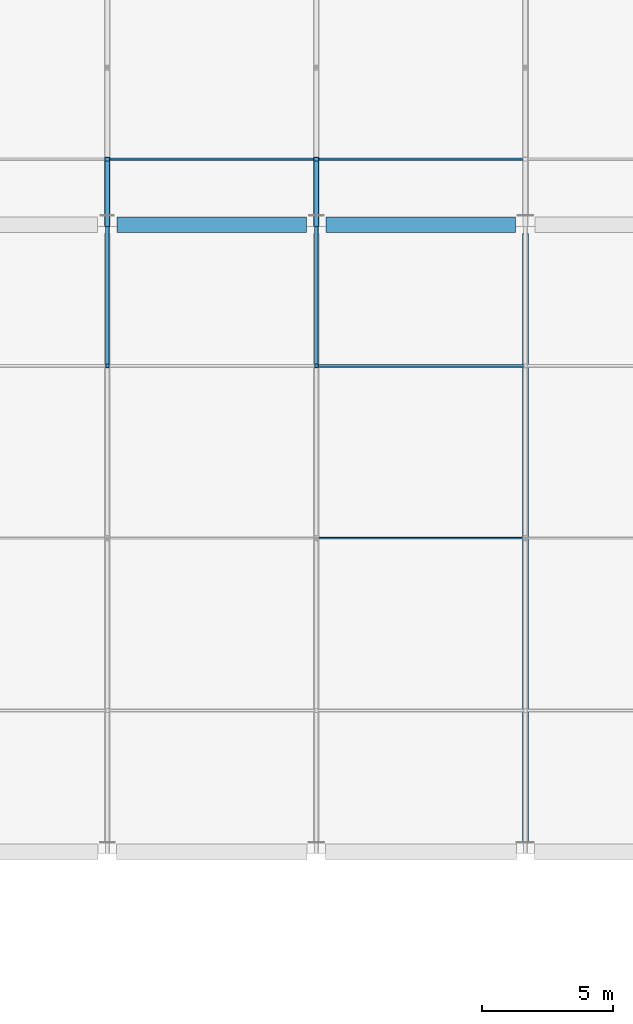
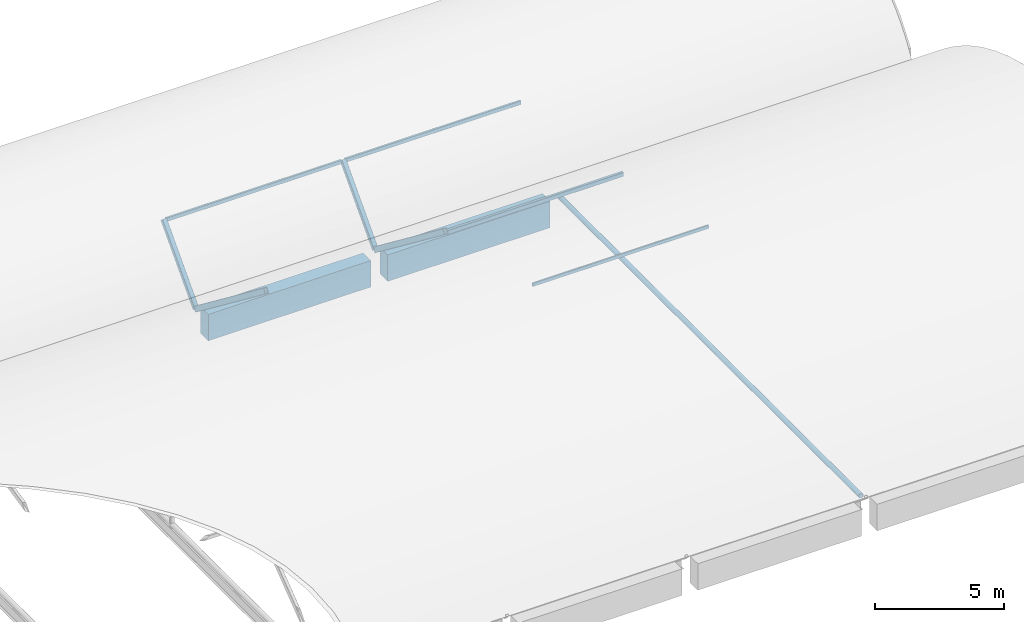
# One storey, part 33 of 57: 9 members, 2 beams.
"""IFC4 building model written with IfcOpenShell, lengths in metres."""

import ifcopenshell
import ifcopenshell.guid

model = None  # the IFC model being written
_history = None  # IfcOwnerHistory: only IFC2X3 demands one
_inside = {}  # id of a spatial element -> (the spatial element, [elements in it])
_under = {}  # id of a project, library or spatial element -> (it, [spatial elements below it])
_declared = {}  # id of a project -> (the project, [libraries it declares])
_typed = {}  # id of a type object -> (the type object, [elements of that type])
_made_of = {}  # id of a material, layer set ... -> (it, [elements and type objects made of it])


def new_model(schema):
    """Start an empty IFC model of exactly this schema.

    Asked for "IFC4X3", IfcOpenShell would pick the latest addendum, in which some entities
    have other attributes; the version numbers below select the first issue.
    IFC2X3 requires an IfcOwnerHistory on every rooted entity: one is made here for all.
    """
    global model, _history
    if schema == "IFC4X3":
        model = ifcopenshell.file(schema_version=(4, 3, 0, 0))
    else:
        model = ifcopenshell.file(schema=schema)
    _inside.clear()
    _under.clear()
    _declared.clear()
    _typed.clear()
    _made_of.clear()
    _history = None
    if model.schema == "IFC2X3":
        org = make("IfcOrganization", Name="unknown")
        user = make(
            "IfcPersonAndOrganization",
            ThePerson=make("IfcPerson", FamilyName="unknown"),
            TheOrganization=org,
        )
        app = make(
            "IfcApplication",
            ApplicationDeveloper=org,
            Version="unknown",
            ApplicationFullName="unknown",
            ApplicationIdentifier="unknown",
        )
        _history = make(
            "IfcOwnerHistory",
            OwningUser=user,
            OwningApplication=app,
            ChangeAction="ADDED",
            CreationDate=0,
        )
    return model


def make(cls, **values):
    """One entity of the class cls with the attributes given. An attribute that is None is left unset."""
    return model.create_entity(
        cls, **{name: value for name, value in values.items() if value is not None}
    )


def rooted(cls, **values):
    """An entity with a GlobalId (a new one), such as an element, a storey or a relation."""
    return make(cls, GlobalId=ifcopenshell.guid.new(), OwnerHistory=_history, **values)


def si_unit(unit_type, name, prefix=None):
    """IfcSIUnit, for example si_unit("LENGTHUNIT", "METRE", prefix="MILLI")."""
    return make("IfcSIUnit", UnitType=unit_type, Prefix=prefix, Name=name)


def assignment(units):
    """IfcUnitAssignment: the units of a project."""
    return None if units is None else make("IfcUnitAssignment", Units=units)


def point(xyz):
    """IfcCartesianPoint."""
    return None if xyz is None else make("IfcCartesianPoint", Coordinates=xyz)


def direction(xyz):
    """IfcDirection."""
    return None if xyz is None else make("IfcDirection", DirectionRatios=xyz)


def frame(location, z_axis=None, x_axis=None):
    """IfcAxis2Placement3D, a coordinate frame: its origin and axes. An axis left out is left unset."""
    return make(
        "IfcAxis2Placement3D",
        Location=point(location),
        Axis=direction(z_axis),
        RefDirection=direction(x_axis),
    )


def frame_2d(location, x_axis=None):
    """IfcAxis2Placement2D, a coordinate frame in the plane: its origin and x axis."""
    return make(
        "IfcAxis2Placement2D", Location=point(location), RefDirection=direction(x_axis)
    )


def origin():
    """The frame at (0, 0, 0) with its axes left unset."""
    return frame((0.0, 0.0, 0.0))


def origin_2d():
    """The frame at (0, 0) in the plane with its x axis left unset."""
    return frame_2d((0.0, 0.0))


def place(relative_to, where):
    """IfcLocalPlacement: puts the frame where relative to a parent placement (None: the world)."""
    return make(
        "IfcLocalPlacement", PlacementRelTo=relative_to, RelativePlacement=where
    )


def context(
    kind, dimensions, precision=None, world=None, true_north=None, identifier=None
):
    """IfcGeometricRepresentationContext, for example the 3D "Model" context."""
    return make(
        "IfcGeometricRepresentationContext",
        ContextIdentifier=identifier,
        ContextType=kind,
        CoordinateSpaceDimension=dimensions,
        Precision=precision,
        WorldCoordinateSystem=world,
        TrueNorth=true_north,
    )


def subcontext(parent, identifier, kind, view, scale=None):
    """IfcGeometricRepresentationSubContext, for example "Body" below "Model"."""
    return make(
        "IfcGeometricRepresentationSubContext",
        ContextIdentifier=identifier,
        ContextType=kind,
        ParentContext=parent,
        TargetScale=scale,
        TargetView=view,
    )


def project(units=None, contexts=None):
    """IfcProject with its units and contexts."""
    return rooted(
        "IfcProject",
        Name="project",
        RepresentationContexts=contexts,
        UnitsInContext=assignment(units),
    )


def spatial(cls, under=None, at=None, **own):
    """A site, building, storey or space (cls), placed at a placement, below another one or the project."""
    s = rooted(cls, ObjectPlacement=at, **own)
    if under is not None:
        _under.setdefault(under.id(), (under, []))[1].append(s)
    return s


def profile(cls, at=None, kind="AREA", **sizes):
    """A parametric profile (cls). Its sizes go by their IFC names, for example OverallWidth=200.0."""
    return make(cls, ProfileType=kind, Position=at, **sizes)


def rectangle(**sizes):
    """IfcRectangleProfileDef."""
    return profile("IfcRectangleProfileDef", **sizes)


def hollow_rectangle(**sizes):
    """IfcRectangleHollowProfileDef."""
    return profile("IfcRectangleHollowProfileDef", **sizes)


def hollow_circle(**sizes):
    """IfcCircleHollowProfileDef."""
    return profile("IfcCircleHollowProfileDef", **sizes)


def extrude(swept, where, along, depth):
    """IfcExtrudedAreaSolid: the profile swept, set in the frame where, extruded along a direction by depth."""
    return make(
        "IfcExtrudedAreaSolid",
        SweptArea=swept,
        Position=where,
        ExtrudedDirection=direction(along),
        Depth=depth,
    )


def shape(context_of_items, identifier, shape_type, items):
    """IfcShapeRepresentation: the items that make up one representation, for example the "Body"."""
    return make(
        "IfcShapeRepresentation",
        ContextOfItems=context_of_items,
        RepresentationIdentifier=identifier,
        RepresentationType=shape_type,
        Items=items,
    )


def material(Name=None, Category=None):
    """IfcMaterial."""
    return make("IfcMaterial", Name=Name, Category=Category)


def material_profile(
    of_material, cross_section, Name=None, Category=None, Priority=None
):
    """IfcMaterialProfile: a cross section and its material."""
    return make(
        "IfcMaterialProfile",
        Name=Name,
        Material=of_material,
        Profile=cross_section,
        Priority=Priority,
        Category=Category,
    )


def profile_set(profiles, Name=None, composite=None):
    """IfcMaterialProfileSet."""
    return make(
        "IfcMaterialProfileSet",
        Name=Name,
        MaterialProfiles=profiles,
        CompositeProfile=composite,
    )


def made_of(thing, what):
    """Note that an element or type object is made of a material, layer set ...; save() writes the relation."""
    if what is not None:
        _made_of.setdefault(what.id(), (what, []))[1].append(thing)
    return thing


def type_object(cls, material=None, **own):
    """A type object (cls), such as IfcWallType, which elements share."""
    return made_of(rooted(cls, **own), material)


def element(
    cls,
    number,
    at=None,
    inside=None,
    cuts=None,
    type_object=None,
    material=None,
    context=None,
    identifier="Body",
    shape_type=None,
    held_by="IfcProductDefinitionShape",
    body=None,
    shapes=None,
    **own,
):
    """One element of the class cls, such as IfcWall. Its Tag is "e" and its number.

    at: its placement. inside: the storey or other place that contains it. cuts: it is an
    opening in that element (IfcRelVoidsElement). A single representation is given by context,
    identifier, shape_type and body (its items); several are given by shapes. held_by: the class
    of the entity that holds the representations. save() writes the other relations.
    """
    e = rooted(cls, Tag="e%d" % number, ObjectPlacement=at, **own)
    if body is not None:
        shapes = [shape(context, identifier, shape_type, body)]
    if shapes is not None:
        e.Representation = make(held_by, Representations=shapes)
    if inside is not None:
        _inside.setdefault(inside.id(), (inside, []))[1].append(e)
    if cuts is not None:
        rooted(
            "IfcRelVoidsElement", RelatingBuildingElement=cuts, RelatedOpeningElement=e
        )
    if type_object is not None:
        _typed.setdefault(type_object.id(), (type_object, []))[1].append(e)
    return made_of(e, material)


def aggregate(whole, parts):
    """IfcRelAggregates: a whole, such as a stair, and the parts it consists of."""
    return rooted("IfcRelAggregates", RelatingObject=whole, RelatedObjects=parts)


def save(model, path):
    """Write the relations noted so far, then the file.

    IfcRelAggregates (storeys below a building ...), IfcRelContainedInSpatialStructure (elements
    in a storey), IfcRelDefinesByType, IfcRelAssociatesMaterial and IfcRelDeclares: one each for
    every whole, place, type object, material and project.
    """
    for whole, parts in _under.values():
        aggregate(whole, parts)
    for where, things in _inside.values():
        rooted(
            "IfcRelContainedInSpatialStructure",
            RelatedElements=things,
            RelatingStructure=where,
        )
    for kind, things in _typed.values():
        rooted("IfcRelDefinesByType", RelatedObjects=things, RelatingType=kind)
    for what, things in _made_of.values():
        rooted("IfcRelAssociatesMaterial", RelatedObjects=things, RelatingMaterial=what)
    for by, libraries in _declared.values():
        rooted("IfcRelDeclares", RelatingContext=by, RelatedDefinitions=libraries)
    model.write(path)


model = new_model("IFC4")

# Units and contexts
model_context = context("Model", 3, precision=1e-05, world=origin(), true_north=direction((0.0, 1.0)))
body_context = subcontext(model_context, "Body", "Model", "MODEL_VIEW")
ifc_project = project(units=[si_unit("LENGTHUNIT", "METRE"), si_unit("AREAUNIT", "SQUARE_METRE"), si_unit("VOLUMEUNIT", "CUBIC_METRE"), si_unit("PLANEANGLEUNIT", "RADIAN"), si_unit("MASSUNIT", "GRAM", prefix="KILO"), si_unit("THERMODYNAMICTEMPERATUREUNIT", "KELVIN"), si_unit("POWERUNIT", "WATT")], contexts=[model_context])

# Site, building, storey
site_placement = place(None, origin())
site = spatial("IfcSite", under=ifc_project, at=site_placement, CompositionType="ELEMENT")
building_placement = place(site_placement, origin())
building = spatial("IfcBuilding", under=site, at=building_placement, Name="Kronsvod Quay Wholesale Market", CompositionType="ELEMENT")
storey_placement = place(building_placement, frame((0.0, 0.0, 13.199951171875)))
storey = spatial("IfcBuildingStorey", under=building, at=storey_placement, Name="L03", CompositionType="ELEMENT", Elevation=13.199951171875)

# Beams
ifc_material_1 = material(Name="Precast concrete C40/50", Category="concrete")
ifc_material_profile_1 = material_profile(ifc_material_1, rectangle(XDim=0.60009765625, YDim=1.25, at=origin_2d()), Name="PCVG600x1250")
ifc_profile_set_1 = profile_set([ifc_material_profile_1], Name="Precast concrete C40/50")
beam_type = type_object("IfcBeamType", Name="Girder_PCVG600x1250", PredefinedType="T_BEAM", material=ifc_profile_set_1)
for number, where, z_axis, x_axis, name in (
    (1, (160.375, 78.0, -0.844970703125), (1.0, 0.0, 0.0), (0.0, 1.0, 0.0), "BMX-L03-1600-780"),
    (2, (168.375, 78.0, -0.844970703125), (1.0, 0.0, 0.0), (0.0, 1.0, 0.0), "BMX-L03-1680-780"),
):
    element("IfcBeam", number, at=place(storey_placement, frame(where, z_axis=z_axis, x_axis=x_axis)), inside=storey, type_object=beam_type, Name=name, PredefinedType="T_BEAM", context=body_context, shape_type="SweptSolid", body=[
        extrude(rectangle(XDim=0.60009765625, YDim=1.25, at=origin_2d()), origin(), (0.0, 0.0, 1.0), 7.25),
    ])

# Members
ifc_material_2 = material(Name="Steel S355", Category="steel")
ifc_material_profile_2 = material_profile(ifc_material_2, hollow_rectangle(XDim=0.199951171875, YDim=0.199951171875, WallThickness=0.010009765625, InnerFilletRadius=0.010009765625, OuterFilletRadius=0.02001953125, at=origin_2d()), Name="RHS200x200x10")
ifc_profile_set_2 = profile_set([ifc_material_profile_2], Name="Steel S355")
member_type_1 = type_object("IfcMemberType", Name="Member_Arch200x200", PredefinedType="RAFTER", material=ifc_profile_set_2)
for number, where, z_axis, x_axis, name in (
    (3, (160.0, 78.0, -0.010009765625), (0.0, 0.67865576732, 0.734456499381), (-1.0, 0.0, 0.0), "ARCG-SH-V2E-N-1600-0"),
    (4, (168.0, 78.0, -0.010009765625), (0.0, 0.67865576732, 0.734456499381), (-1.0, 0.0, 0.0), "ARCG-SH-V2E-N-1680-0"),
):
    element("IfcMember", number, at=place(storey_placement, frame(where, z_axis=z_axis, x_axis=x_axis)), inside=storey, type_object=member_type_1, Name=name, PredefinedType="RAFTER", context=body_context, shape_type="SweptSolid", body=[
        extrude(hollow_rectangle(XDim=0.199951171875, YDim=0.199951171875, WallThickness=0.010009765625, InnerFilletRadius=0.010009765625, OuterFilletRadius=0.02001953125, at=origin_2d()), origin(), (0.0, 0.0, 1.0), 3.697021484375),
    ])
ifc_material_3 = material(Name="Steel S355", Category="steel")
ifc_material_profile_3 = material_profile(ifc_material_3, hollow_rectangle(XDim=0.14990234375, YDim=0.25, WallThickness=0.010009765625, InnerFilletRadius=0.010009765625, OuterFilletRadius=0.02001953125, at=origin_2d()), Name="RHS250x150x10")
ifc_profile_set_3 = profile_set([ifc_material_profile_3], Name="Steel S355")
member_type_2 = type_object("IfcMemberType", Name="Member_Arch250x150", PredefinedType="RAFTER", material=ifc_profile_set_3)
for number, where, z_axis, x_axis, name in (
    (5, (160.0, 72.594482421875, 4.1298828125), (0.0, 0.79391386882, -0.608030236827), (-1.0, 0.0, 0.0), "ARCG-SH-V2E-M-1600-3"),
    (6, (168.0, 72.594482421875, 4.1298828125), (0.0, 0.79391386882, -0.608030236827), (-1.0, 0.0, 0.0), "ARCG-SH-V2E-M-1680-3"),
):
    element("IfcMember", number, at=place(storey_placement, frame(where, z_axis=z_axis, x_axis=x_axis)), inside=storey, type_object=member_type_2, Name=name, PredefinedType="RAFTER", context=body_context, shape_type="SweptSolid", body=[
        extrude(hollow_rectangle(XDim=0.14990234375, YDim=0.25, WallThickness=0.010009765625, InnerFilletRadius=0.010009765625, OuterFilletRadius=0.02001953125, at=origin_2d()), origin(), (0.0, 0.0, 1.0), 6.80859375),
    ])
ifc_material_4 = material(Name="Steel S355", Category="steel")
ifc_material_profile_4 = material_profile(ifc_material_4, hollow_circle(Radius=0.109619140625, WallThickness=0.010009765625, at=origin_2d()), Name="CHS219x10")
ifc_profile_set_4 = profile_set([ifc_material_profile_4], Name="Steel S355")
member_type_3 = type_object("IfcMemberType", Name="Member_Chord219x10", PredefinedType="CHORD", material=ifc_profile_set_4)
member_1_placement = place(storey_placement, frame((176.0, 54.340087890625, -0.079833984375), z_axis=(0.0, 1.0, 0.0), x_axis=(-1.0, 0.0, 0.0)))
element("IfcMember", 7, at=member_1_placement, inside=storey, type_object=member_type_3, Name="CHDG-SH-V2E-M-1760", PredefinedType="CHORD", context=body_context, shape_type="SweptSolid", body=[
    extrude(hollow_circle(Radius=0.109619140625, WallThickness=0.010009765625, at=origin_2d()), origin(), (0.0, 0.0, 1.0), 23.31982421875),
])
ifc_material_5 = material(Name="Steel S355", Category="steel")
ifc_material_profile_5 = material_profile(ifc_material_5, hollow_rectangle(XDim=0.1201171875, YDim=0.199951171875, WallThickness=0.008056640625, InnerFilletRadius=0.008056640625, OuterFilletRadius=0.01611328125, at=origin_2d()), Name="RHS200x120x8")
ifc_profile_set_5 = profile_set([ifc_material_profile_5], Name="Steel S355")
member_type_4 = type_object("IfcMemberType", Name="Member_Girt200x120", PredefinedType="PURLIN", material=ifc_profile_set_5)
member_2_placement = place(storey_placement, frame((168.080078125, 72.594482421875, 4.070068359375), z_axis=(1.0, 0.0, 0.0), x_axis=(0.0, 1.0, 0.0)))
element("IfcMember", 8, at=member_2_placement, inside=storey, type_object=member_type_4, Name="PRLG-SH-V2E-M-4-2", PredefinedType="PURLIN", context=body_context, shape_type="SweptSolid", body=[
    extrude(hollow_rectangle(XDim=0.1201171875, YDim=0.199951171875, WallThickness=0.008056640625, InnerFilletRadius=0.008056640625, OuterFilletRadius=0.01611328125, at=origin_2d()), origin(), (0.0, 0.0, 1.0), 7.83984375),
])
ifc_material_6 = material(Name="Steel S355", Category="steel")
ifc_material_profile_6 = material_profile(ifc_material_6, hollow_rectangle(XDim=0.080078125, YDim=0.159912109375, WallThickness=0.006103515625, InnerFilletRadius=0.006103515625, OuterFilletRadius=0.011962890625, at=origin_2d()), Name="RHS160x80x6")
ifc_profile_set_6 = profile_set([ifc_material_profile_6], Name="Steel S355")
member_type_5 = type_object("IfcMemberType", Name="Member_Purlin160x80", PredefinedType="PURLIN", material=ifc_profile_set_6)
member_3_placement = place(storey_placement, frame((168.080078125, 66.0, 5.580078125), z_axis=(1.0, 0.0, 0.0), x_axis=(0.0, 1.0, 0.0)))
element("IfcMember", 9, at=member_3_placement, inside=storey, type_object=member_type_5, Name="PRLG-SH-V2E-M-4-1", PredefinedType="PURLIN", context=body_context, shape_type="SweptSolid", body=[
    extrude(hollow_rectangle(XDim=0.080078125, YDim=0.159912109375, WallThickness=0.006103515625, InnerFilletRadius=0.006103515625, OuterFilletRadius=0.011962890625, at=origin_2d()), origin(), (0.0, 0.0, 1.0), 7.83984375),
])
ifc_material_7 = material(Name="Steel S355", Category="steel")
ifc_material_profile_7 = material_profile(ifc_material_7, hollow_rectangle(XDim=0.10009765625, YDim=0.179931640625, WallThickness=0.008056640625, InnerFilletRadius=0.008056640625, OuterFilletRadius=0.01611328125, at=origin_2d()), Name="RHS180x100x8")
ifc_profile_set_7 = profile_set([ifc_material_profile_7], Name="Steel S355")
member_type_6 = type_object("IfcMemberType", Name="Member_Purlin180x100", PredefinedType="PURLIN", material=ifc_profile_set_7)
for number, where, z_axis, x_axis, name in (
    (10, (160.080078125, 80.509033203125, 2.645263671875), (1.0, 0.0, 0.0), (0.0, 1.0, 0.0), "PRLG-SH-V2E-N-3-0"),
    (11, (168.080078125, 80.509033203125, 2.645263671875), (1.0, 0.0, 0.0), (0.0, 1.0, 0.0), "PRLG-SH-V2E-N-4-0"),
):
    element("IfcMember", number, at=place(storey_placement, frame(where, z_axis=z_axis, x_axis=x_axis)), inside=storey, type_object=member_type_6, Name=name, PredefinedType="PURLIN", context=body_context, shape_type="SweptSolid", body=[
        extrude(hollow_rectangle(XDim=0.10009765625, YDim=0.179931640625, WallThickness=0.008056640625, InnerFilletRadius=0.008056640625, OuterFilletRadius=0.01611328125, at=origin_2d()), origin(), (0.0, 0.0, 1.0), 7.83984375),
    ])

save(model, "model.ifc")
